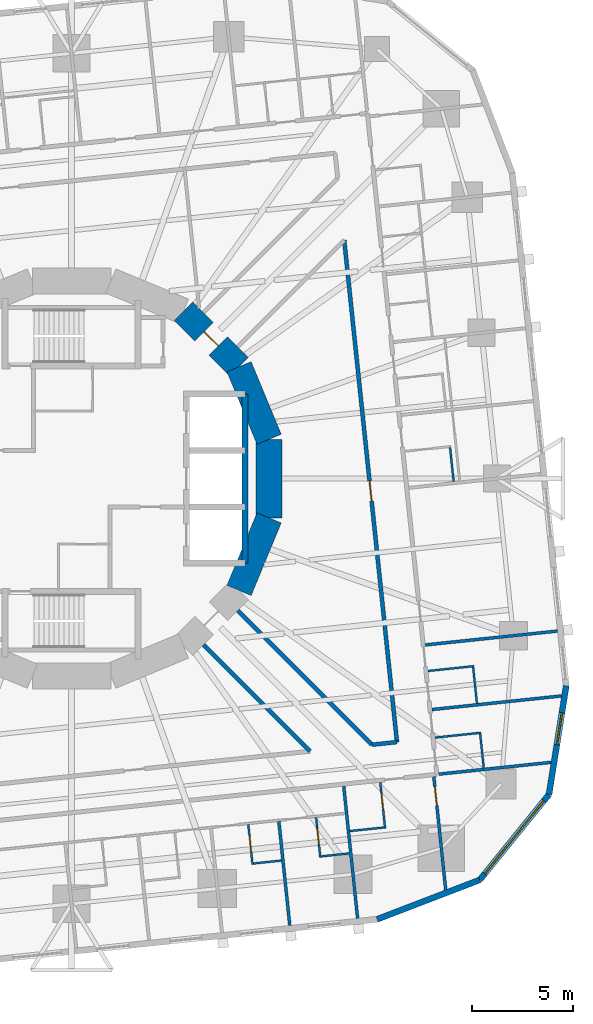
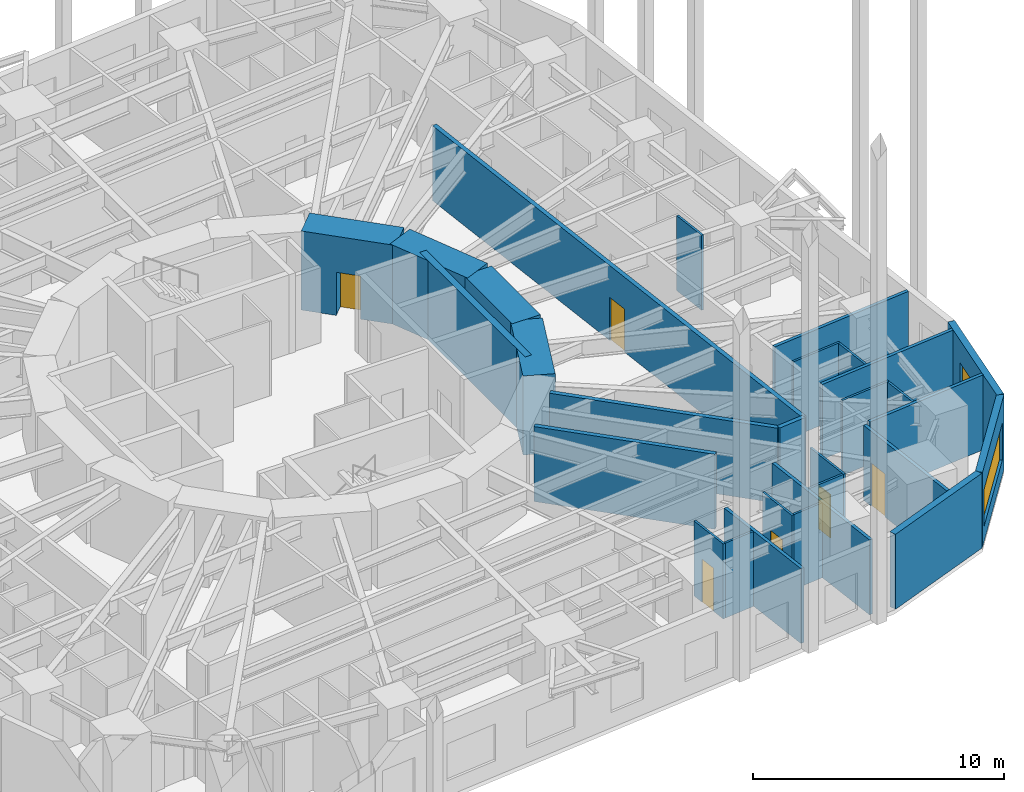
# One storey, part 8 of 13: 29 walls, 6 doors, 2 windows, 8 openings.
"""IFC4 building model written with IfcOpenShell, lengths in metres."""

from ifc_helpers import new_model, si_unit, direction, frame, frame_2d, origin, place, context, subcontext, project, spatial, rectangle, extrude, material, layer, layer_set, type_object, element, fill, save


model = new_model("IFC4")

# Units and contexts
model_context = context("Model", 3, precision=1e-05, world=origin(), true_north=direction((0.0, 1.0)))
body_context = subcontext(model_context, "Body", "Model", "MODEL_VIEW")
ifc_project = project(units=[si_unit("LENGTHUNIT", "METRE"), si_unit("AREAUNIT", "SQUARE_METRE"), si_unit("VOLUMEUNIT", "CUBIC_METRE"), si_unit("PLANEANGLEUNIT", "RADIAN"), si_unit("MASSUNIT", "GRAM", prefix="KILO")], contexts=[model_context])

# Site, building, storey
site_placement = place(None, origin())
site = spatial("IfcSite", under=ifc_project, at=site_placement, CompositionType="ELEMENT")
building_placement = place(site_placement, origin())
building = spatial("IfcBuilding", under=site, at=building_placement, Name="Nakasero Lantern House", CompositionType="ELEMENT")
storey_placement = place(building_placement, frame((0.0, 0.0, 60.5)))
storey = spatial("IfcBuildingStorey", under=building, at=storey_placement, Name="L14", CompositionType="ELEMENT", Elevation=60.5)

# Walls
ifc_material_1 = material(Name="Concrete C50/60", Category="concrete")
ifc_layer_1 = layer(ifc_material_1, 0.300048828125)
ifc_layer_set_1 = layer_set([ifc_layer_1], Name="Core inner wall 300")
wall_type_1 = type_object("IfcWallType", Name="Core inner wall 300", PredefinedType="SHEAR", material=ifc_layer_set_1)
wall_1_placement = place(storey_placement, frame((8.60009765625, -4.199951171875, 0.0), z_axis=(0.0, 0.0, 1.0), x_axis=(0.0, 1.0, 0.0)))
element("IfcWall", 1, at=wall_1_placement, inside=storey, type_object=wall_type_1, Name="Core inner wall L14 LEB", PredefinedType="SHEAR", context=body_context, shape_type="SweptSolid", body=[
    extrude(rectangle(XDim=8.39990234375, YDim=0.300048828125, at=frame_2d((4.199951171875, 0.0))), origin(), (0.0, 0.0, 1.0), 3.85009765625),
])
ifc_material_2 = material(Name="Concrete C50/60", Category="concrete")
ifc_layer_2 = layer(ifc_material_2, 1.300048828125)
ifc_layer_set_2 = layer_set([ifc_layer_2], Name="Core wall 1300")
wall_type_2 = type_object("IfcWallType", Name="Core wall 1300", PredefinedType="SHEAR", material=ifc_layer_set_2)
wall_2_placement = place(storey_placement, frame((9.807861328125, 1.950927734375, 0.0), z_axis=(0.0, 0.0, 1.0), x_axis=(-0.382690736062, 0.923876507187, 0.0)))
element("IfcWall", 2, at=wall_2_placement, inside=storey, type_object=wall_type_2, Name="Core wall L14 facet 1", PredefinedType="SHEAR", context=body_context, shape_type="SweptSolid", body=[
    extrude(rectangle(XDim=3.90185546875, YDim=1.300048828125, at=frame_2d((1.950927734375, 0.0))), origin(), (0.0, 0.0, 1.0), 3.85009765625),
])

# Wall, opening, door
wall_3_placement = place(storey_placement, frame((8.314697265625, 5.5556640625, 0.0), z_axis=(0.0, 0.0, 1.0), x_axis=(-0.707106781187, 0.707106781187, 0.0)))
wall_3 = element("IfcWall", 3, at=wall_3_placement, inside=storey, type_object=wall_type_2, Name="Core wall L14 facet 2", PredefinedType="SHEAR", context=body_context, shape_type="SweptSolid", body=[
    extrude(rectangle(XDim=3.90185546875, YDim=1.300048828125, at=frame_2d((1.950927734375, 0.0))), origin(), (0.0, 0.0, 1.0), 3.85009765625),
])
opening_1_placement = place(wall_3_placement, frame((1.450927734375, 0.0, 0.0)))
opening_1 = element("IfcOpeningElement", 4, at=opening_1_placement, cuts=wall_3, Name="Opening D05", PredefinedType="OPENING", context=body_context, shape_type="SweptSolid", body=[
    extrude(rectangle(XDim=1.0, YDim=2.10009765625, at=frame_2d((0.5, 1.050048828125))), frame((0.0, 0.669921875, 0.0), z_axis=(0.0, -1.0, 0.0), x_axis=(1.0, 0.0, 0.0)), (0.0, 0.0, 1.0), 1.340087890625),
])
ifc_material_3 = material(Name="Timber C24", Category="wood")
door_type_1 = type_object("IfcDoorType", Name="Core door FD60S 1000", OperationType="SINGLE_SWING_LEFT", PredefinedType="DOOR", material=ifc_material_3)
door_1_placement = place(opening_1_placement, origin())
door_1 = element("IfcDoor", 5, at=door_1_placement, inside=storey, type_object=door_type_1, Name="Door L14 D-CORE02", OperationType="SINGLE_SWING_LEFT", OverallHeight=2.10009765625, OverallWidth=1.0, PredefinedType="DOOR", context=body_context, shape_type="SweptSolid", body=[
    extrude(rectangle(XDim=1.0, YDim=2.10009765625, at=frame_2d((0.5, 1.050048828125))), frame((0.0, 0.02490234375, 0.0), z_axis=(0.0, -1.0, 0.0), x_axis=(1.0, 0.0, 0.0)), (0.0, 0.0, 1.0), 0.050048828125),
])
fill(opening_1, door_1)

# Walls
for number, where, z_axis, x_axis, name in (
    (6, (8.314697265625, -5.5556640625, 0.0), (0.0, 0.0, 1.0), (0.382690736062, 0.923876507187, 0.0), "Core wall L14 facet 15"),
    (7, (9.807861328125, -1.950927734375, 0.0), (0.0, 0.0, 1.0), (0.0, 1.0, 0.0), "Core wall L14 facet 16"),
):
    element("IfcWall", number, at=place(storey_placement, frame(where, z_axis=z_axis, x_axis=x_axis)), inside=storey, type_object=wall_type_2, Name=name, PredefinedType="SHEAR", context=body_context, shape_type="SweptSolid", body=[
        extrude(rectangle(XDim=3.90185546875, YDim=1.300048828125, at=frame_2d((1.950927734375, 0.0))), origin(), (0.0, 0.0, 1.0), 3.85009765625),
    ])

# Wall, opening, door
ifc_material_4 = material(Name="Blockwork", Category="masonry")
ifc_layer_3 = layer(ifc_material_4, 0.199951171875)
ifc_layer_set_3 = layer_set([ifc_layer_3], Name="Corridor wall 200")
wall_type_3 = type_object("IfcWallType", Name="Corridor wall 200", PredefinedType="PARTITIONING", material=ifc_layer_set_3)
wall_4_placement = place(storey_placement, frame((16.156005859375, -13.0830078125, 0.0), z_axis=(0.0, 0.0, 1.0), x_axis=(-0.104525036292, 0.994522255552, 0.0)))
wall_4 = element("IfcWall", 8, at=wall_4_placement, inside=storey, type_object=wall_type_3, Name="Corridor wall L14 IW0-0", PredefinedType="PARTITIONING", context=body_context, shape_type="SweptSolid", body=[
    extrude(rectangle(XDim=25.059814453125, YDim=0.199951171875, at=frame_2d((12.52978515625, 0.0))), origin(), (0.0, 0.0, 1.0), 3.64990234375),
])
opening_2_placement = place(wall_4_placement, frame((12.02978515625, 0.0, 0.0)))
opening_2 = element("IfcOpeningElement", 9, at=opening_2_placement, cuts=wall_4, Name="Opening D07", PredefinedType="OPENING", context=body_context, shape_type="SweptSolid", body=[
    extrude(rectangle(XDim=1.0, YDim=2.10009765625, at=frame_2d((0.5, 1.050048828125))), frame((0.0, 0.119873046875, 0.0), z_axis=(0.0, -1.0, 0.0), x_axis=(1.0, 0.0, 0.0)), (0.0, 0.0, 1.0), 0.239990234375),
])
ifc_material_5 = material(Name="Timber C24", Category="wood")
door_type_2 = type_object("IfcDoorType", Name="Room door FD30S 1000", OperationType="SINGLE_SWING_LEFT", PredefinedType="DOOR", material=ifc_material_5)
door_2_placement = place(opening_2_placement, origin())
door_2 = element("IfcDoor", 10, at=door_2_placement, inside=storey, type_object=door_type_2, Name="Door L14 DI3", OperationType="SINGLE_SWING_RIGHT", OverallHeight=2.10009765625, OverallWidth=1.0, PredefinedType="DOOR", context=body_context, shape_type="SweptSolid", body=[
    extrude(rectangle(XDim=1.0, YDim=2.10009765625, at=frame_2d((0.5, 1.050048828125))), frame((0.0, 0.02490234375, 0.0), z_axis=(0.0, -1.0, 0.0), x_axis=(1.0, 0.0, 0.0)), (0.0, 0.0, 1.0), 0.050048828125),
])
fill(opening_2, door_2)

# Walls
wall_5_placement = place(storey_placement, frame((14.910888671875, -13.2138671875, 0.0), z_axis=(0.0, 0.0, 1.0), x_axis=(0.994522535937, 0.104522368483, 0.0)))
element("IfcWall", 11, at=wall_5_placement, inside=storey, type_object=wall_type_3, Name="Corridor wall L14 IW3-1", PredefinedType="PARTITIONING", context=body_context, shape_type="SweptSolid", body=[
    extrude(rectangle(XDim=1.251953125, YDim=0.199951171875, at=frame_2d((0.6259765625, 0.0))), origin(), (0.0, 0.0, 1.0), 3.64990234375),
])
wall_6_placement = place(storey_placement, frame((8.243408203125, -6.54638671875, 0.0), z_axis=(0.0, 0.0, 1.0), x_axis=(0.707106781187, -0.707106781187, 0.0)))
element("IfcWall", 12, at=wall_6_placement, inside=storey, type_object=wall_type_3, Name="Corridor wall L14 PS14a", PredefinedType="PARTITIONING", context=body_context, shape_type="SweptSolid", body=[
    extrude(rectangle(XDim=9.42919921875, YDim=0.199951171875, at=frame_2d((4.714599609375, 0.0))), origin(), (0.0, 0.0, 1.0), 3.64990234375),
])
wall_7_placement = place(storey_placement, frame((6.54638671875, -8.243408203125, 0.0), z_axis=(0.0, 0.0, 1.0), x_axis=(0.707106781187, -0.707106781187, 0.0)))
element("IfcWall", 13, at=wall_7_placement, inside=storey, type_object=wall_type_3, Name="Corridor wall L14 PS14b", PredefinedType="PARTITIONING", context=body_context, shape_type="SweptSolid", body=[
    extrude(rectangle(XDim=7.48583984375, YDim=0.199951171875, at=frame_2d((3.742919921875, 0.0))), origin(), (0.0, 0.0, 1.0), 3.64990234375),
])
ifc_material_6 = material(Name="Blockwork", Category="masonry")
ifc_layer_4 = layer(ifc_material_6, 0.10009765625)
ifc_layer_set_4 = layer_set([ifc_layer_4], Name="En-suite wall 100")
wall_type_4 = type_object("IfcWallType", Name="En-suite wall 100", PredefinedType="PARTITIONING", material=ifc_layer_set_4)
wall_8_placement = place(storey_placement, frame((18.04296875, -12.859375, 0.0), z_axis=(0.0, 0.0, 1.0), x_axis=(0.994529855142, 0.104452703326, 0.0)))
element("IfcWall", 14, at=wall_8_placement, inside=storey, type_object=wall_type_4, Name="En-suite wall L14 ES0-00", PredefinedType="PARTITIONING", context=body_context, shape_type="SweptSolid", body=[
    extrude(rectangle(XDim=2.300048828125, YDim=0.10009765625, at=frame_2d((1.14990234375, 0.0))), origin(), (0.0, 0.0, 1.0), 3.64990234375),
])
wall_9_placement = place(storey_placement, frame((20.463623046875, -14.36474609375, 0.0), z_axis=(0.0, 0.0, 1.0), x_axis=(-0.104550220202, 0.994519608382, 0.0)))
element("IfcWall", 15, at=wall_9_placement, inside=storey, type_object=wall_type_4, Name="En-suite wall L14 EE0-00", PredefinedType="PARTITIONING", context=body_context, shape_type="SweptSolid", body=[
    extrude(rectangle(XDim=1.699951171875, YDim=0.10009765625, at=frame_2d((0.85009765625, 0.0))), origin(), (0.0, 0.0, 1.0), 3.64990234375),
])
wall_10_placement = place(storey_placement, frame((17.6953125, -9.55224609375, 0.0), z_axis=(0.0, 0.0, 1.0), x_axis=(0.994531013106, 0.104441677364, 0.0)))
element("IfcWall", 16, at=wall_10_placement, inside=storey, type_object=wall_type_4, Name="En-suite wall L14 ES0-01", PredefinedType="PARTITIONING", context=body_context, shape_type="SweptSolid", body=[
    extrude(rectangle(XDim=2.30029296875, YDim=0.10009765625, at=frame_2d((1.150146484375, 0.0))), origin(), (0.0, 0.0, 1.0), 3.64990234375),
])
wall_11_placement = place(storey_placement, frame((20.12646484375, -11.156982421875, 0.0), z_axis=(0.0, 0.0, 1.0), x_axis=(-0.104578872801, 0.994516595821, 0.0)))
element("IfcWall", 17, at=wall_11_placement, inside=storey, type_object=wall_type_4, Name="En-suite wall L14 EE0-01", PredefinedType="PARTITIONING", context=body_context, shape_type="SweptSolid", body=[
    extrude(rectangle(XDim=1.7998046875, YDim=0.10009765625, at=frame_2d((0.89990234375, 0.0))), origin(), (0.0, 0.0, 1.0), 3.64990234375),
])
wall_12_placement = place(storey_placement, frame((18.9697265625, -0.150146484375, 0.0), z_axis=(0.0, 0.0, 1.0), x_axis=(-0.104550220202, 0.994519608382, 0.0)))
element("IfcWall", 18, at=wall_12_placement, inside=storey, type_object=wall_type_4, Name="En-suite wall L14 EE0-04", PredefinedType="PARTITIONING", context=body_context, shape_type="SweptSolid", body=[
    extrude(rectangle(XDim=1.699951171875, YDim=0.10009765625, at=frame_2d((0.85009765625, 0.0))), origin(), (0.0, 0.0, 1.0), 3.64990234375),
])

# Wall, opening, door
wall_13_placement = place(storey_placement, frame((8.774169921875, -17.177001953125, 0.0), z_axis=(0.0, 0.0, 1.0), x_axis=(0.104494148666, -0.99452550138, 0.0)))
wall_13 = element("IfcWall", 19, at=wall_13_placement, inside=storey, type_object=wall_type_4, Name="En-suite wall L14 ES3-06", PredefinedType="PARTITIONING", context=body_context, shape_type="SweptSolid", body=[
    extrude(rectangle(XDim=2.0, YDim=0.10009765625, at=frame_2d((1.0, 0.0))), origin(), (0.0, 0.0, 1.0), 3.64990234375),
])
opening_3_placement = place(wall_13_placement, frame((0.550048828125, 0.0, 0.0)))
opening_3 = element("IfcOpeningElement", 20, at=opening_3_placement, cuts=wall_13, Name="Opening D02", PredefinedType="OPENING", context=body_context, shape_type="SweptSolid", body=[
    extrude(rectangle(XDim=0.800048828125, YDim=2.10009765625, at=frame_2d((0.39990234375, 1.050048828125))), frame((0.0, 0.070068359375, 0.0), z_axis=(0.0, -1.0, 0.0), x_axis=(1.0, 0.0, 0.0)), (0.0, 0.0, 1.0), 0.14013671875),
])
ifc_material_7 = material(Name="Timber C24", Category="wood")
door_type_3 = type_object("IfcDoorType", Name="En-suite door 800", OperationType="SINGLE_SWING_RIGHT", PredefinedType="DOOR", material=ifc_material_7)
door_3_placement = place(opening_3_placement, origin())
door_3 = element("IfcDoor", 21, at=door_3_placement, inside=storey, type_object=door_type_3, Name="Door L14 DE3-06", OperationType="SINGLE_SWING_LEFT", OverallHeight=2.10009765625, OverallWidth=0.800048828125, PredefinedType="DOOR", context=body_context, shape_type="SweptSolid", body=[
    extrude(rectangle(XDim=0.800048828125, YDim=2.10009765625, at=frame_2d((0.39990234375, 1.050048828125))), frame((0.0, 0.02490234375, 0.0), z_axis=(0.0, -1.0, 0.0), x_axis=(1.0, 0.0, 0.0)), (0.0, 0.0, 1.0), 0.050048828125),
])
fill(opening_3, door_3)

# Wall
wall_14_placement = place(storey_placement, frame((9.027587890625, -19.111083984375, 0.0), z_axis=(0.0, 0.0, 1.0), x_axis=(0.994511184598, 0.104630319263, 0.0)))
element("IfcWall", 22, at=wall_14_placement, inside=storey, type_object=wall_type_4, Name="En-suite wall L14 EE3-06", PredefinedType="PARTITIONING", context=body_context, shape_type="SweptSolid", body=[
    extrude(rectangle(XDim=1.39990234375, YDim=0.10009765625, at=frame_2d((0.699951171875, 0.0))), origin(), (0.0, 0.0, 1.0), 3.64990234375),
])

# Wall, opening, door
wall_15_placement = place(storey_placement, frame((12.14111328125, -16.822998046875, 0.0), z_axis=(0.0, 0.0, 1.0), x_axis=(0.104494148666, -0.99452550138, 0.0)))
wall_15 = element("IfcWall", 23, at=wall_15_placement, inside=storey, type_object=wall_type_4, Name="En-suite wall L14 ES3-07", PredefinedType="PARTITIONING", context=body_context, shape_type="SweptSolid", body=[
    extrude(rectangle(XDim=2.0, YDim=0.10009765625, at=frame_2d((1.0, 0.0))), origin(), (0.0, 0.0, 1.0), 3.64990234375),
])
opening_4_placement = place(wall_15_placement, frame((0.550048828125, 0.0, 0.0)))
opening_4 = element("IfcOpeningElement", 24, at=opening_4_placement, cuts=wall_15, Name="Opening D02", PredefinedType="OPENING", context=body_context, shape_type="SweptSolid", body=[
    extrude(rectangle(XDim=0.800048828125, YDim=2.10009765625, at=frame_2d((0.39990234375, 1.050048828125))), frame((0.0, 0.070068359375, 0.0), z_axis=(0.0, -1.0, 0.0), x_axis=(1.0, 0.0, 0.0)), (0.0, 0.0, 1.0), 0.14013671875),
])
door_4_placement = place(opening_4_placement, origin())
door_4 = element("IfcDoor", 25, at=door_4_placement, inside=storey, type_object=door_type_3, Name="Door L14 DE3-07", OperationType="SINGLE_SWING_LEFT", OverallHeight=2.10009765625, OverallWidth=0.800048828125, PredefinedType="DOOR", context=body_context, shape_type="SweptSolid", body=[
    extrude(rectangle(XDim=0.800048828125, YDim=2.10009765625, at=frame_2d((0.39990234375, 1.050048828125))), frame((0.0, 0.02490234375, 0.0), z_axis=(0.0, -1.0, 0.0), x_axis=(1.0, 0.0, 0.0)), (0.0, 0.0, 1.0), 0.050048828125),
])
fill(opening_4, door_4)

# Wall
wall_16_placement = place(storey_placement, frame((12.394775390625, -18.757080078125, 0.0), z_axis=(0.0, 0.0, 1.0), x_axis=(0.994529315664, 0.104457839748, 0.0)))
element("IfcWall", 26, at=wall_16_placement, inside=storey, type_object=wall_type_4, Name="En-suite wall L14 EE3-07", PredefinedType="PARTITIONING", context=body_context, shape_type="SweptSolid", body=[
    extrude(rectangle(XDim=1.39990234375, YDim=0.10009765625, at=frame_2d((0.699951171875, 0.0))), origin(), (0.0, 0.0, 1.0), 3.64990234375),
])

# Wall, opening, door
wall_17_placement = place(storey_placement, frame((15.326416015625, -15.08056640625, 0.0), z_axis=(0.0, 0.0, 1.0), x_axis=(0.104557694553, -0.994518822602, 0.0)))
wall_17 = element("IfcWall", 27, at=wall_17_placement, inside=storey, type_object=wall_type_4, Name="En-suite wall L14 ES3-08", PredefinedType="PARTITIONING", context=body_context, shape_type="SweptSolid", body=[
    extrude(rectangle(XDim=2.300048828125, YDim=0.10009765625, at=frame_2d((1.14990234375, 0.0))), origin(), (0.0, 0.0, 1.0), 3.64990234375),
])
opening_5_placement = place(wall_17_placement, frame((0.550048828125, 0.0, 0.0)))
opening_5 = element("IfcOpeningElement", 28, at=opening_5_placement, cuts=wall_17, Name="Opening D02", PredefinedType="OPENING", context=body_context, shape_type="SweptSolid", body=[
    extrude(rectangle(XDim=0.800048828125, YDim=2.10009765625, at=frame_2d((0.39990234375, 1.050048828125))), frame((0.0, 0.070068359375, 0.0), z_axis=(0.0, -1.0, 0.0), x_axis=(1.0, 0.0, 0.0)), (0.0, 0.0, 1.0), 0.14013671875),
])
door_5_placement = place(opening_5_placement, origin())
door_5 = element("IfcDoor", 29, at=door_5_placement, inside=storey, type_object=door_type_3, Name="Door L14 DE3-08", OperationType="SINGLE_SWING_LEFT", OverallHeight=2.10009765625, OverallWidth=0.800048828125, PredefinedType="DOOR", context=body_context, shape_type="SweptSolid", body=[
    extrude(rectangle(XDim=0.800048828125, YDim=2.10009765625, at=frame_2d((0.39990234375, 1.050048828125))), frame((0.0, 0.02490234375, 0.0), z_axis=(0.0, -1.0, 0.0), x_axis=(1.0, 0.0, 0.0)), (0.0, 0.0, 1.0), 0.050048828125),
])
fill(opening_5, door_5)

# Walls
wall_18_placement = place(storey_placement, frame((13.8212890625, -17.501220703125, 0.0), z_axis=(0.0, 0.0, 1.0), x_axis=(0.994519608382, 0.104550220202, 0.0)))
element("IfcWall", 30, at=wall_18_placement, inside=storey, type_object=wall_type_4, Name="En-suite wall L14 EE3-08", PredefinedType="PARTITIONING", context=body_context, shape_type="SweptSolid", body=[
    extrude(rectangle(XDim=1.699951171875, YDim=0.10009765625, at=frame_2d((0.85009765625, 0.0))), origin(), (0.0, 0.0, 1.0), 3.64990234375),
])
ifc_material_8 = material(Name="Aluminium rainscreen on blockwork", Category="masonry")
ifc_layer_5 = layer(ifc_material_8, 0.300048828125)
ifc_layer_set_5 = layer_set([ifc_layer_5], Name="Facade wall 300")
wall_type_5 = type_object("IfcWallType", Name="Facade wall 300", PredefinedType="SOLIDWALL", material=ifc_layer_set_5)
wall_19_placement = place(storey_placement, frame((15.170654296875, -21.884033203125, 0.0), z_axis=(0.0, 0.0, 1.0), x_axis=(0.933583906079, 0.358358884793, 0.0)))
element("IfcWall", 31, at=wall_19_placement, inside=storey, type_object=wall_type_5, Name="Facade wall L14 FW3C1", PredefinedType="SOLIDWALL", context=body_context, shape_type="SweptSolid", body=[
    extrude(rectangle(XDim=5.461181640625, YDim=0.300048828125, at=frame_2d((2.73046875, 0.0))), origin(), (0.0, 0.0, 1.0), 3.64990234375),
])

# Wall, opening, window
wall_20_placement = place(storey_placement, frame((20.26904296875, -19.927001953125, 0.0), z_axis=(0.0, 0.0, 1.0), x_axis=(0.629334543442, 0.777134500863, 0.0)))
wall_20 = element("IfcWall", 32, at=wall_20_placement, inside=storey, type_object=wall_type_5, Name="Facade wall L14 FW3C2", PredefinedType="SOLIDWALL", context=body_context, shape_type="SweptSolid", body=[
    extrude(rectangle(XDim=5.4609375, YDim=0.300048828125, at=frame_2d((2.73046875, 0.0))), origin(), (0.0, 0.0, 1.0), 3.64990234375),
])
opening_6_placement = place(wall_20_placement, frame((0.39990234375, 0.0, 0.75)))
opening_6 = element("IfcOpeningElement", 33, at=opening_6_placement, cuts=wall_20, Name="Opening W246", PredefinedType="OPENING", context=body_context, shape_type="SweptSolid", body=[
    extrude(rectangle(XDim=4.660888671875, YDim=1.800048828125, at=frame_2d((2.33056640625, 0.89990234375))), frame((0.0, 0.169921875, 0.0), z_axis=(0.0, -1.0, 0.0), x_axis=(1.0, 0.0, 0.0)), (0.0, 0.0, 1.0), 0.340087890625),
])
ifc_material_9 = material(Name="Aluminium 6063-T6 and glass", Category="aluminium")
window_type_1 = type_object("IfcWindowType", Name="Corner window 4661x1800", PartitioningType="SINGLE_PANEL", PredefinedType="WINDOW", material=ifc_material_9)
window_1_placement = place(opening_6_placement, origin())
window_1 = element("IfcWindow", 34, at=window_1_placement, inside=storey, type_object=window_type_1, Name="Window L14 WC3", OverallHeight=1.800048828125, OverallWidth=4.660888671875, PartitioningType="SINGLE_PANEL", PredefinedType="WINDOW", context=body_context, shape_type="SweptSolid", body=[
    extrude(rectangle(XDim=4.660888671875, YDim=1.800048828125, at=frame_2d((2.33056640625, 0.89990234375))), frame((0.0, 0.030029296875, 0.0), z_axis=(0.0, -1.0, 0.0), x_axis=(1.0, 0.0, 0.0)), (0.0, 0.0, 1.0), 0.06005859375),
])
fill(opening_6, window_1)

wall_21_placement = place(storey_placement, frame((23.705810546875, -15.68310546875, 0.0), z_axis=(0.0, 0.0, 1.0), x_axis=(0.156419383601, 0.987690729142, 0.0)))
wall_21 = element("IfcWall", 35, at=wall_21_placement, inside=storey, type_object=wall_type_5, Name="Facade wall L14 FW3C3", PredefinedType="SOLIDWALL", context=body_context, shape_type="SweptSolid", body=[
    extrude(rectangle(XDim=5.461181640625, YDim=0.300048828125, at=frame_2d((2.73046875, 0.0))), origin(), (0.0, 0.0, 1.0), 3.64990234375),
])
opening_7_placement = place(wall_21_placement, frame((2.5, 0.0, 0.75)))
opening_7 = element("IfcOpeningElement", 36, at=opening_7_placement, cuts=wall_21, Name="Opening W01", PredefinedType="OPENING", context=body_context, shape_type="SweptSolid", body=[
    extrude(rectangle(XDim=1.60009765625, YDim=1.800048828125, at=frame_2d((0.800048828125, 0.89990234375))), frame((0.0, 0.169921875, 0.0), z_axis=(0.0, -1.0, 0.0), x_axis=(1.0, 0.0, 0.0)), (0.0, 0.0, 1.0), 0.340087890625),
])
ifc_material_10 = material(Name="Aluminium 6063-T6 and glass", Category="aluminium")
window_type_2 = type_object("IfcWindowType", Name="Bedroom window 1600x1800", PartitioningType="SINGLE_PANEL", PredefinedType="WINDOW", material=ifc_material_10)
window_2_placement = place(opening_7_placement, origin())
window_2 = element("IfcWindow", 37, at=window_2_placement, inside=storey, type_object=window_type_2, Name="Window L14 WN0-00", OverallHeight=1.800048828125, OverallWidth=1.60009765625, PartitioningType="SINGLE_PANEL", PredefinedType="WINDOW", context=body_context, shape_type="SweptSolid", body=[
    extrude(rectangle(XDim=1.60009765625, YDim=1.800048828125, at=frame_2d((0.800048828125, 0.89990234375))), frame((0.0, 0.030029296875, 0.0), z_axis=(0.0, -1.0, 0.0), x_axis=(1.0, 0.0, 0.0)), (0.0, 0.0, 1.0), 0.06005859375),
])
fill(opening_7, window_2)

# Walls
ifc_material_11 = material(Name="Blockwork", Category="masonry")
ifc_layer_6 = layer(ifc_material_11, 0.14990234375)
ifc_layer_set_6 = layer_set([ifc_layer_6], Name="Party wall 150")
wall_type_6 = type_object("IfcWallType", Name="Party wall 150", PredefinedType="PARTITIONING", material=ifc_layer_set_6)
wall_22_placement = place(storey_placement, frame((18.23388671875, -14.674560546875, 0.0), z_axis=(0.0, 0.0, 1.0), x_axis=(0.994520498284, 0.104541754786, 0.0)))
element("IfcWall", 38, at=wall_22_placement, inside=storey, type_object=wall_type_6, Name="Party wall L14 PW0-00", PredefinedType="PARTITIONING", context=body_context, shape_type="SweptSolid", body=[
    extrude(rectangle(XDim=5.597900390625, YDim=0.14990234375, at=frame_2d((2.798828125, 0.0))), origin(), (0.0, 0.0, 1.0), 3.64990234375),
])
wall_23_placement = place(storey_placement, frame((17.896728515625, -11.466796875, 0.0), z_axis=(0.0, 0.0, 1.0), x_axis=(0.994520968015, 0.10453728607, 0.0)))
element("IfcWall", 39, at=wall_23_placement, inside=storey, type_object=wall_type_6, Name="Party wall L14 PW0-01", PredefinedType="PARTITIONING", context=body_context, shape_type="SweptSolid", body=[
    extrude(rectangle(XDim=6.462158203125, YDim=0.14990234375, at=frame_2d((3.23095703125, 0.0))), origin(), (0.0, 0.0, 1.0), 3.64990234375),
])
wall_24_placement = place(storey_placement, frame((17.5595703125, -8.25927734375, 0.0), z_axis=(0.0, 0.0, 1.0), x_axis=(0.994520846901, 0.104538438287, 0.0)))
element("IfcWall", 40, at=wall_24_placement, inside=storey, type_object=wall_type_6, Name="Party wall L14 PW0-02", PredefinedType="PARTITIONING", context=body_context, shape_type="SweptSolid", body=[
    extrude(rectangle(XDim=6.599853515625, YDim=0.14990234375, at=frame_2d((3.2998046875, 0.0))), origin(), (0.0, 0.0, 1.0), 3.64990234375),
])
wall_25_placement = place(storey_placement, frame((10.290771484375, -17.017578125, 0.0), z_axis=(0.0, 0.0, 1.0), x_axis=(0.104513699976, -0.994523446942, 0.0)))
element("IfcWall", 41, at=wall_25_placement, inside=storey, type_object=wall_type_6, Name="Party wall L14 PW3-07", PredefinedType="PARTITIONING", context=body_context, shape_type="SweptSolid", body=[
    extrude(rectangle(XDim=5.199951171875, YDim=0.14990234375, at=frame_2d((2.60009765625, 0.0))), origin(), (0.0, 0.0, 1.0), 3.64990234375),
])
wall_26_placement = place(storey_placement, frame((13.511474609375, -15.271240234375, 0.0), z_axis=(0.0, 0.0, 1.0), x_axis=(0.104534592565, -0.994521251134, 0.0)))
element("IfcWall", 42, at=wall_26_placement, inside=storey, type_object=wall_type_6, Name="Party wall L14 PW3-08", PredefinedType="PARTITIONING", context=body_context, shape_type="SweptSolid", body=[
    extrude(rectangle(XDim=6.60009765625, YDim=0.14990234375, at=frame_2d((3.300048828125, 0.0))), origin(), (0.0, 0.0, 1.0), 3.64990234375),
])

# Wall, opening, door
wall_27_placement = place(storey_placement, frame((17.9853515625, -14.801025390625, 0.0), z_axis=(0.0, 0.0, 1.0), x_axis=(0.104520320471, -0.994522751177, 0.0)))
wall_27 = element("IfcWall", 43, at=wall_27_placement, inside=storey, type_object=wall_type_6, Name="Party wall L14 PC3", PredefinedType="PARTITIONING", context=body_context, shape_type="SweptSolid", body=[
    extrude(rectangle(XDim=5.64111328125, YDim=0.14990234375, at=frame_2d((2.820556640625, 0.0))), origin(), (0.0, 0.0, 1.0), 3.64990234375),
])
opening_8_placement = place(wall_27_placement, frame((0.5, 0.0, 0.0)))
opening_8 = element("IfcOpeningElement", 44, at=opening_8_placement, cuts=wall_27, Name="Opening D01", PredefinedType="OPENING", context=body_context, shape_type="SweptSolid", body=[
    extrude(rectangle(XDim=0.949951171875, YDim=2.10009765625, at=frame_2d((0.47509765625, 1.050048828125))), frame((0.0, 0.094970703125, 0.0), z_axis=(0.0, -1.0, 0.0), x_axis=(1.0, 0.0, 0.0)), (0.0, 0.0, 1.0), 0.18994140625),
])
ifc_material_12 = material(Name="Timber C24", Category="wood")
door_type_4 = type_object("IfcDoorType", Name="Bedroom door FD30S 950", OperationType="SINGLE_SWING_LEFT", PredefinedType="DOOR", material=ifc_material_12)
door_6_placement = place(opening_8_placement, origin())
door_6 = element("IfcDoor", 45, at=door_6_placement, inside=storey, type_object=door_type_4, Name="Door L14 DC3", OperationType="SINGLE_SWING_LEFT", OverallHeight=2.10009765625, OverallWidth=0.949951171875, PredefinedType="DOOR", context=body_context, shape_type="SweptSolid", body=[
    extrude(rectangle(XDim=0.949951171875, YDim=2.10009765625, at=frame_2d((0.47509765625, 1.050048828125))), frame((0.0, 0.02490234375, 0.0), z_axis=(0.0, -1.0, 0.0), x_axis=(1.0, 0.0, 0.0)), (0.0, 0.0, 1.0), 0.050048828125),
])
fill(opening_8, door_6)

save(model, "model.ifc")
